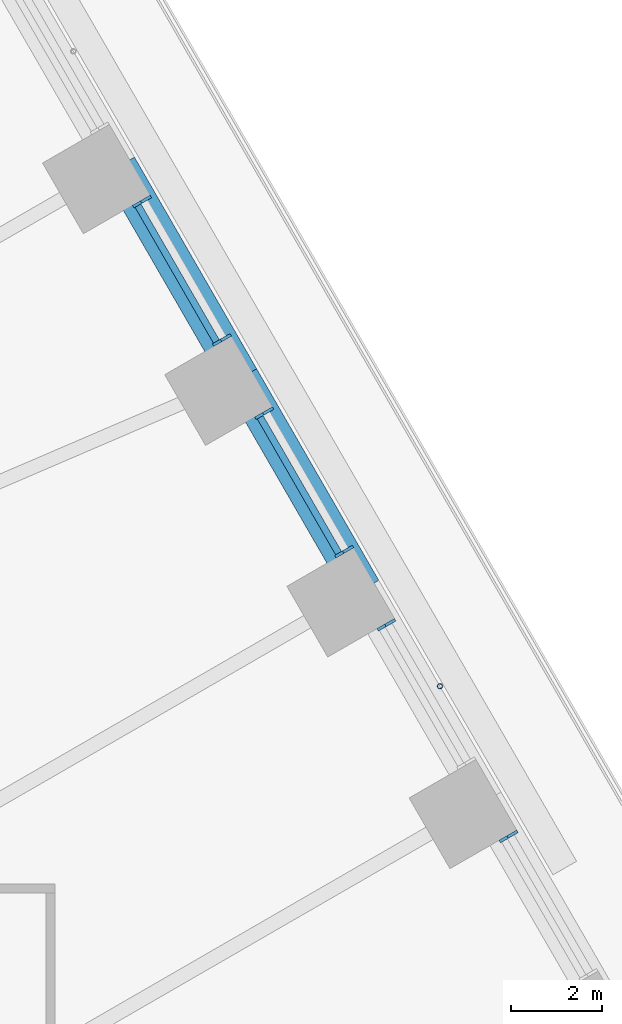
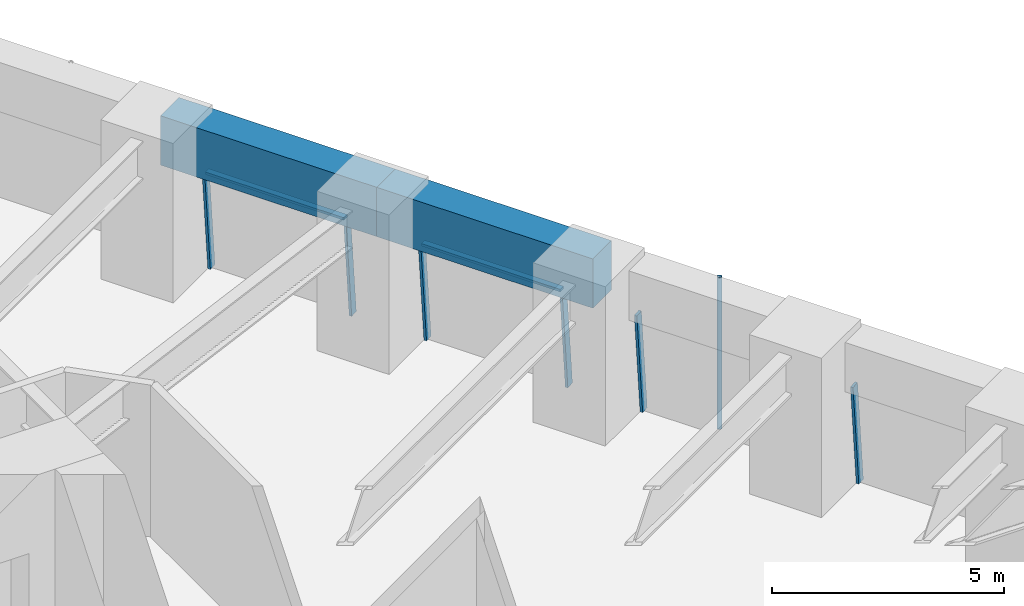
# One storey, part 13 of 23: 9 members, 2 beams, 4 elements without a shape of their own.
"""IFC4 building model written with IfcOpenShell, lengths in metres."""

import ifcopenshell
import ifcopenshell.guid

model = None  # the IFC model being written
_history = None  # IfcOwnerHistory: only IFC2X3 demands one
_inside = {}  # id of a spatial element -> (the spatial element, [elements in it])
_under = {}  # id of a project, library or spatial element -> (it, [spatial elements below it])
_declared = {}  # id of a project -> (the project, [libraries it declares])
_typed = {}  # id of a type object -> (the type object, [elements of that type])
_made_of = {}  # id of a material, layer set ... -> (it, [elements and type objects made of it])


def new_model(schema):
    """Start an empty IFC model of exactly this schema.

    Asked for "IFC4X3", IfcOpenShell would pick the latest addendum, in which some entities
    have other attributes; the version numbers below select the first issue.
    IFC2X3 requires an IfcOwnerHistory on every rooted entity: one is made here for all.
    """
    global model, _history
    if schema == "IFC4X3":
        model = ifcopenshell.file(schema_version=(4, 3, 0, 0))
    else:
        model = ifcopenshell.file(schema=schema)
    _inside.clear()
    _under.clear()
    _declared.clear()
    _typed.clear()
    _made_of.clear()
    _history = None
    if model.schema == "IFC2X3":
        org = make("IfcOrganization", Name="unknown")
        user = make(
            "IfcPersonAndOrganization",
            ThePerson=make("IfcPerson", FamilyName="unknown"),
            TheOrganization=org,
        )
        app = make(
            "IfcApplication",
            ApplicationDeveloper=org,
            Version="unknown",
            ApplicationFullName="unknown",
            ApplicationIdentifier="unknown",
        )
        _history = make(
            "IfcOwnerHistory",
            OwningUser=user,
            OwningApplication=app,
            ChangeAction="ADDED",
            CreationDate=0,
        )
    return model


def make(cls, **values):
    """One entity of the class cls with the attributes given. An attribute that is None is left unset."""
    return model.create_entity(
        cls, **{name: value for name, value in values.items() if value is not None}
    )


def rooted(cls, **values):
    """An entity with a GlobalId (a new one), such as an element, a storey or a relation."""
    return make(cls, GlobalId=ifcopenshell.guid.new(), OwnerHistory=_history, **values)


def si_unit(unit_type, name, prefix=None):
    """IfcSIUnit, for example si_unit("LENGTHUNIT", "METRE", prefix="MILLI")."""
    return make("IfcSIUnit", UnitType=unit_type, Prefix=prefix, Name=name)


def assignment(units):
    """IfcUnitAssignment: the units of a project."""
    return None if units is None else make("IfcUnitAssignment", Units=units)


def point(xyz):
    """IfcCartesianPoint."""
    return None if xyz is None else make("IfcCartesianPoint", Coordinates=xyz)


def direction(xyz):
    """IfcDirection."""
    return None if xyz is None else make("IfcDirection", DirectionRatios=xyz)


def frame(location, z_axis=None, x_axis=None):
    """IfcAxis2Placement3D, a coordinate frame: its origin and axes. An axis left out is left unset."""
    return make(
        "IfcAxis2Placement3D",
        Location=point(location),
        Axis=direction(z_axis),
        RefDirection=direction(x_axis),
    )


def frame_2d(location, x_axis=None):
    """IfcAxis2Placement2D, a coordinate frame in the plane: its origin and x axis."""
    return make(
        "IfcAxis2Placement2D", Location=point(location), RefDirection=direction(x_axis)
    )


def origin():
    """The frame at (0, 0, 0) with its axes left unset."""
    return frame((0.0, 0.0, 0.0))


def origin_2d():
    """The frame at (0, 0) in the plane with its x axis left unset."""
    return frame_2d((0.0, 0.0))


def place(relative_to, where):
    """IfcLocalPlacement: puts the frame where relative to a parent placement (None: the world)."""
    return make(
        "IfcLocalPlacement", PlacementRelTo=relative_to, RelativePlacement=where
    )


def context(
    kind, dimensions, precision=None, world=None, true_north=None, identifier=None
):
    """IfcGeometricRepresentationContext, for example the 3D "Model" context."""
    return make(
        "IfcGeometricRepresentationContext",
        ContextIdentifier=identifier,
        ContextType=kind,
        CoordinateSpaceDimension=dimensions,
        Precision=precision,
        WorldCoordinateSystem=world,
        TrueNorth=true_north,
    )


def subcontext(parent, identifier, kind, view, scale=None):
    """IfcGeometricRepresentationSubContext, for example "Body" below "Model"."""
    return make(
        "IfcGeometricRepresentationSubContext",
        ContextIdentifier=identifier,
        ContextType=kind,
        ParentContext=parent,
        TargetScale=scale,
        TargetView=view,
    )


def project(units=None, contexts=None):
    """IfcProject with its units and contexts."""
    return rooted(
        "IfcProject",
        Name="project",
        RepresentationContexts=contexts,
        UnitsInContext=assignment(units),
    )


def spatial(cls, under=None, at=None, **own):
    """A site, building, storey or space (cls), placed at a placement, below another one or the project."""
    s = rooted(cls, ObjectPlacement=at, **own)
    if under is not None:
        _under.setdefault(under.id(), (under, []))[1].append(s)
    return s


def profile(cls, at=None, kind="AREA", **sizes):
    """A parametric profile (cls). Its sizes go by their IFC names, for example OverallWidth=200.0."""
    return make(cls, ProfileType=kind, Position=at, **sizes)


def rectangle(**sizes):
    """IfcRectangleProfileDef."""
    return profile("IfcRectangleProfileDef", **sizes)


def hollow_circle(**sizes):
    """IfcCircleHollowProfileDef."""
    return profile("IfcCircleHollowProfileDef", **sizes)


def extrude(swept, where, along, depth):
    """IfcExtrudedAreaSolid: the profile swept, set in the frame where, extruded along a direction by depth."""
    return make(
        "IfcExtrudedAreaSolid",
        SweptArea=swept,
        Position=where,
        ExtrudedDirection=direction(along),
        Depth=depth,
    )


def shape(context_of_items, identifier, shape_type, items):
    """IfcShapeRepresentation: the items that make up one representation, for example the "Body"."""
    return make(
        "IfcShapeRepresentation",
        ContextOfItems=context_of_items,
        RepresentationIdentifier=identifier,
        RepresentationType=shape_type,
        Items=items,
    )


def material(Name=None, Category=None):
    """IfcMaterial."""
    return make("IfcMaterial", Name=Name, Category=Category)


def material_profile(
    of_material, cross_section, Name=None, Category=None, Priority=None
):
    """IfcMaterialProfile: a cross section and its material."""
    return make(
        "IfcMaterialProfile",
        Name=Name,
        Material=of_material,
        Profile=cross_section,
        Priority=Priority,
        Category=Category,
    )


def profile_set(profiles, Name=None, composite=None):
    """IfcMaterialProfileSet."""
    return make(
        "IfcMaterialProfileSet",
        Name=Name,
        MaterialProfiles=profiles,
        CompositeProfile=composite,
    )


def made_of(thing, what):
    """Note that an element or type object is made of a material, layer set ...; save() writes the relation."""
    if what is not None:
        _made_of.setdefault(what.id(), (what, []))[1].append(thing)
    return thing


def type_object(cls, material=None, **own):
    """A type object (cls), such as IfcWallType, which elements share."""
    return made_of(rooted(cls, **own), material)


def element(
    cls,
    number,
    at=None,
    inside=None,
    cuts=None,
    type_object=None,
    material=None,
    context=None,
    identifier="Body",
    shape_type=None,
    held_by="IfcProductDefinitionShape",
    body=None,
    shapes=None,
    **own,
):
    """One element of the class cls, such as IfcWall. Its Tag is "e" and its number.

    at: its placement. inside: the storey or other place that contains it. cuts: it is an
    opening in that element (IfcRelVoidsElement). A single representation is given by context,
    identifier, shape_type and body (its items); several are given by shapes. held_by: the class
    of the entity that holds the representations. save() writes the other relations.
    """
    e = rooted(cls, Tag="e%d" % number, ObjectPlacement=at, **own)
    if body is not None:
        shapes = [shape(context, identifier, shape_type, body)]
    if shapes is not None:
        e.Representation = make(held_by, Representations=shapes)
    if inside is not None:
        _inside.setdefault(inside.id(), (inside, []))[1].append(e)
    if cuts is not None:
        rooted(
            "IfcRelVoidsElement", RelatingBuildingElement=cuts, RelatedOpeningElement=e
        )
    if type_object is not None:
        _typed.setdefault(type_object.id(), (type_object, []))[1].append(e)
    return made_of(e, material)


def aggregate(whole, parts):
    """IfcRelAggregates: a whole, such as a stair, and the parts it consists of."""
    return rooted("IfcRelAggregates", RelatingObject=whole, RelatedObjects=parts)


def save(model, path):
    """Write the relations noted so far, then the file.

    IfcRelAggregates (storeys below a building ...), IfcRelContainedInSpatialStructure (elements
    in a storey), IfcRelDefinesByType, IfcRelAssociatesMaterial and IfcRelDeclares: one each for
    every whole, place, type object, material and project.
    """
    for whole, parts in _under.values():
        aggregate(whole, parts)
    for where, things in _inside.values():
        rooted(
            "IfcRelContainedInSpatialStructure",
            RelatedElements=things,
            RelatingStructure=where,
        )
    for kind, things in _typed.values():
        rooted("IfcRelDefinesByType", RelatedObjects=things, RelatingType=kind)
    for what, things in _made_of.values():
        rooted("IfcRelAssociatesMaterial", RelatedObjects=things, RelatingMaterial=what)
    for by, libraries in _declared.values():
        rooted("IfcRelDeclares", RelatingContext=by, RelatedDefinitions=libraries)
    model.write(path)


model = new_model("IFC4")

# Units and contexts
model_context = context("Model", 3, precision=1e-05, world=origin(), true_north=direction((0.0, 1.0)))
body_context = subcontext(model_context, "Body", "Model", "MODEL_VIEW")
ifc_project = project(units=[si_unit("LENGTHUNIT", "METRE"), si_unit("AREAUNIT", "SQUARE_METRE"), si_unit("VOLUMEUNIT", "CUBIC_METRE"), si_unit("PLANEANGLEUNIT", "RADIAN"), si_unit("MASSUNIT", "GRAM", prefix="KILO")], contexts=[model_context])

# Site, building, storey
site_placement = place(None, origin())
site = spatial("IfcSite", under=ifc_project, at=site_placement, CompositionType="ELEMENT")
building_placement = place(site_placement, origin())
building = spatial("IfcBuilding", under=site, at=building_placement, Name="Tarfa Lantern Tower", CompositionType="ELEMENT")
storey_placement = place(building_placement, frame((0.0, 0.0, 99.10009765625)))
storey = spatial("IfcBuildingStorey", under=building, at=storey_placement, Name="L22", CompositionType="ELEMENT", Elevation=99.10009765625)

# Curtain wall, member
ifc_material_1 = material(Name="Aluminium framed curtain wall", Category="aluminium")
curtain_wall_type = type_object("IfcCurtainWallType", Name="CW1 CANTED GLAZING LOW ZONE 2700", PredefinedType="USERDEFINED", material=ifc_material_1)
curtain_wall_1_placement = place(storey_placement, origin())
curtain_wall_1 = element("IfcCurtainWall", 1, at=curtain_wall_1_placement, inside=storey, type_object=curtain_wall_type, Name="CW1 NE L22", ObjectType="CURTAIN WALL", PredefinedType="USERDEFINED")
ifc_material_2 = material(Name="Aluminium mullion", Category="aluminium")
ifc_material_profile_1 = material_profile(ifc_material_2, rectangle(XDim=0.06494140625, YDim=0.199951171875, at=origin_2d()), Name="AL MULLION 65x200")
ifc_profile_set_1 = profile_set([ifc_material_profile_1], Name="Aluminium mullion")
member_type_1 = type_object("IfcMemberType", Name="CWM1 MULLION 65x200", PredefinedType="MULLION", material=ifc_profile_set_1)
member_1_placement = place(storey_placement, frame((35.213134765625, 6.80908203125, 0.0), z_axis=(-0.07986442134, -0.046099868913, 0.99573916077), x_axis=(0.499919672301, -0.866071776036, 0.0)))
member_1 = element("IfcMember", 2, at=member_1_placement, type_object=member_type_1, Name="CW1 mullion 2", PredefinedType="MULLION", context=body_context, shape_type="SweptSolid", body=[
    extrude(rectangle(XDim=0.06494140625, YDim=0.199951171875, at=origin_2d()), origin(), (0.0, 0.0, 1.0), 2.71142578125),
])
aggregate(curtain_wall_1, [member_1])

curtain_wall_2_placement = place(storey_placement, origin())
curtain_wall_2 = element("IfcCurtainWall", 3, at=curtain_wall_2_placement, inside=storey, type_object=curtain_wall_type, Name="CW1 NE L22", ObjectType="CURTAIN WALL", PredefinedType="USERDEFINED")
member_2_placement = place(storey_placement, frame((32.518798828125, 11.475830078125, 0.0), z_axis=(-0.07986442134, -0.046099868913, 0.99573916077), x_axis=(0.499919672301, -0.866071776036, 0.0)))
member_2 = element("IfcMember", 4, at=member_2_placement, type_object=member_type_1, Name="CW1 mullion 2", PredefinedType="MULLION", context=body_context, shape_type="SweptSolid", body=[
    extrude(rectangle(XDim=0.06494140625, YDim=0.199951171875, at=origin_2d()), origin(), (0.0, 0.0, 1.0), 2.71142578125),
])
aggregate(curtain_wall_2, [member_2])

# Curtain wall, members
curtain_wall_3_placement = place(storey_placement, origin())
curtain_wall_3 = element("IfcCurtainWall", 5, at=curtain_wall_3_placement, inside=storey, type_object=curtain_wall_type, Name="CW1 NE L22", ObjectType="CURTAIN WALL", PredefinedType="USERDEFINED")
member_3_placement = place(storey_placement, frame((31.58642578125, 13.0908203125, 0.0), z_axis=(-0.07986442134, -0.046099868913, 0.99573916077), x_axis=(0.499919672301, -0.866071776036, 0.0)))
member_3 = element("IfcMember", 6, at=member_3_placement, type_object=member_type_1, Name="CW1 mullion 1", PredefinedType="MULLION", context=body_context, shape_type="SweptSolid", body=[
    extrude(rectangle(XDim=0.06494140625, YDim=0.199951171875, at=origin_2d()), origin(), (0.0, 0.0, 1.0), 2.71142578125),
])
member_4_placement = place(storey_placement, frame((29.824462890625, 16.142333984375, 0.0), z_axis=(-0.07986442134, -0.046099868913, 0.99573916077), x_axis=(0.499919672301, -0.866071776036, 0.0)))
member_4 = element("IfcMember", 7, at=member_4_placement, type_object=member_type_1, Name="CW1 mullion 2", PredefinedType="MULLION", context=body_context, shape_type="SweptSolid", body=[
    extrude(rectangle(XDim=0.06494140625, YDim=0.199951171875, at=origin_2d()), origin(), (0.0, 0.0, 1.0), 2.71142578125),
])

curtain_wall_4_placement = place(storey_placement, origin())
curtain_wall_4 = element("IfcCurtainWall", 8, at=curtain_wall_4_placement, inside=storey, type_object=curtain_wall_type, Name="CW1 NE L22", ObjectType="CURTAIN WALL", PredefinedType="USERDEFINED")
member_5_placement = place(storey_placement, frame((28.89208984375, 17.757568359375, 0.0), z_axis=(-0.07986442134, -0.046099868913, 0.99573916077), x_axis=(0.499919672301, -0.866071776036, 0.0)))
member_5 = element("IfcMember", 9, at=member_5_placement, type_object=member_type_1, Name="CW1 mullion 1", PredefinedType="MULLION", context=body_context, shape_type="SweptSolid", body=[
    extrude(rectangle(XDim=0.06494140625, YDim=0.199951171875, at=origin_2d()), origin(), (0.0, 0.0, 1.0), 2.71142578125),
])
member_6_placement = place(storey_placement, frame((27.130126953125, 20.80908203125, 0.0), z_axis=(-0.079774955866, -0.04610020023, 0.995746317068), x_axis=(0.500342721131, -0.865827443207, 0.0)))
member_6 = element("IfcMember", 10, at=member_6_placement, type_object=member_type_1, Name="CW1 mullion 2", PredefinedType="MULLION", context=body_context, shape_type="SweptSolid", body=[
    extrude(rectangle(XDim=0.06494140625, YDim=0.199951171875, at=origin_2d()), origin(), (0.0, 0.0, 1.0), 2.71142578125),
])

# Member
ifc_material_3 = material(Name="Aluminium transom", Category="aluminium")
ifc_material_profile_2 = material_profile(ifc_material_3, rectangle(XDim=0.14990234375, YDim=0.06494140625, at=origin_2d()), Name="AL TRANSOM 150x65")
ifc_profile_set_2 = profile_set([ifc_material_profile_2], Name="Aluminium transom")
member_type_2 = type_object("IfcMemberType", Name="CWT1 TRANSOM 150x65", PredefinedType="USERDEFINED", material=ifc_profile_set_2)
member_7_placement = place(storey_placement, frame((31.356201171875, 12.99560546875, 2.66748046875), z_axis=(-0.500003541824, 0.866023358902, 0.0), x_axis=(-0.866023358902, -0.500003541824, 0.0)))
member_7 = element("IfcMember", 11, at=member_7_placement, type_object=member_type_2, Name="CW1 transom 1.2", ObjectType="TRANSOM", PredefinedType="USERDEFINED", context=body_context, shape_type="SweptSolid", body=[
    extrude(rectangle(XDim=0.14990234375, YDim=0.06494140625, at=origin_2d()), origin(), (0.0, 0.0, 1.0), 3.45849609375),
])

aggregate(curtain_wall_3, [member_3, member_4, member_7])

member_8_placement = place(storey_placement, frame((28.661865234375, 17.662109375, 2.66748046875), z_axis=(-0.49997297598, 0.866041005548, 0.0), x_axis=(-0.866041005548, -0.49997297598, 0.0)))
member_8 = element("IfcMember", 12, at=member_8_placement, type_object=member_type_2, Name="CW1 transom 1.2", ObjectType="TRANSOM", PredefinedType="USERDEFINED", context=body_context, shape_type="SweptSolid", body=[
    extrude(rectangle(XDim=0.14990234375, YDim=0.06494140625, at=origin_2d()), origin(), (0.0, 0.0, 1.0), 3.458740234375),
])

aggregate(curtain_wall_4, [member_5, member_6, member_8])

# Beams
ifc_material_4 = material(Name="Concrete C80/95", Category="concrete")
ifc_material_profile_3 = material_profile(ifc_material_4, rectangle(XDim=0.800048828125, YDim=1.300048828125, at=origin_2d()), Name="RC 800x1300")
ifc_profile_set_3 = profile_set([ifc_material_profile_3], Name="Concrete C80/95")
beam_type = type_object("IfcBeamType", Name="EB1 RC 800x1300", PredefinedType="SPANDREL", material=ifc_profile_set_3)
beam_1_placement = place(storey_placement, frame((31.896728515625, 12.193359375, 3.349853515625), z_axis=(-0.499998287579, 0.866026392449, 0.0), x_axis=(-0.866026392449, -0.499998287579, 0.0)))
element("IfcBeam", 13, at=beam_1_placement, inside=storey, type_object=beam_type, Name="Edge beam NE2", PredefinedType="SPANDREL", context=body_context, shape_type="SweptSolid", body=[
    extrude(rectangle(XDim=0.800048828125, YDim=1.300048828125, at=origin_2d()), origin(), (0.0, 0.0, 1.0), 5.388671875),
])
beam_2_placement = place(storey_placement, frame((29.202392578125, 16.860107421875, 3.349853515625), z_axis=(-0.500017906299, 0.866015065331, 0.0), x_axis=(-0.866015065331, -0.500017906299, 0.0)))
element("IfcBeam", 14, at=beam_2_placement, inside=storey, type_object=beam_type, Name="Edge beam NE3", PredefinedType="SPANDREL", context=body_context, shape_type="SweptSolid", body=[
    extrude(rectangle(XDim=0.800048828125, YDim=1.300048828125, at=origin_2d()), origin(), (0.0, 0.0, 1.0), 5.388427734375),
])

# Member
ifc_material_5 = material(Name="Steel S355", Category="steel")
ifc_material_profile_4 = material_profile(ifc_material_5, hollow_circle(Radius=0.05712890625, WallThickness=0.00634765625, at=origin_2d()), Name="CHS114.3x6.3")
ifc_profile_set_4 = profile_set([ifc_material_profile_4], Name="Steel S355")
member_type_3 = type_object("IfcMemberType", Name="TR1 GREEN WALL TRELLIS CHS114.3x6.3", PredefinedType="USERDEFINED", material=ifc_profile_set_4)
member_9_placement = place(storey_placement, frame((33.59033203125, 10.06005859375, 0.0), z_axis=(0.0, 0.0, 1.0), x_axis=(1.0, 0.0, 0.0)))
element("IfcMember", 15, at=member_9_placement, inside=storey, type_object=member_type_3, Name="Trellis post NE 1", ObjectType="TRELLIS", PredefinedType="USERDEFINED", context=body_context, shape_type="SweptSolid", body=[
    extrude(hollow_circle(Radius=0.05712890625, WallThickness=0.00634765625, at=origin_2d()), origin(), (0.0, 0.0, 1.0), 4.0),
])

save(model, "model.ifc")
